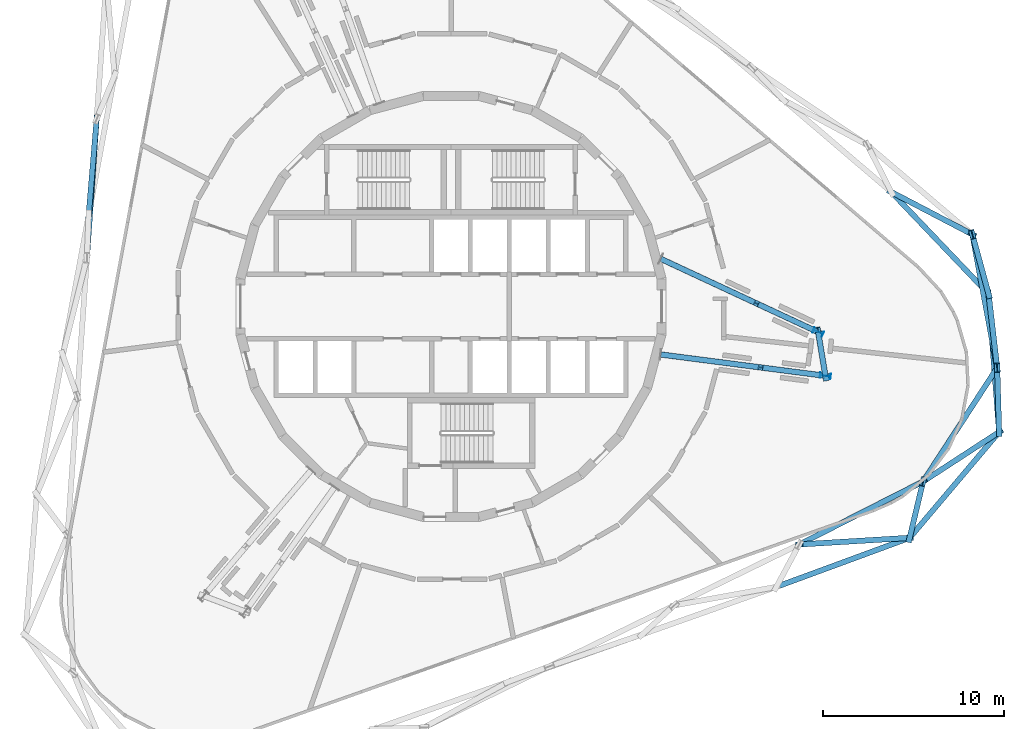
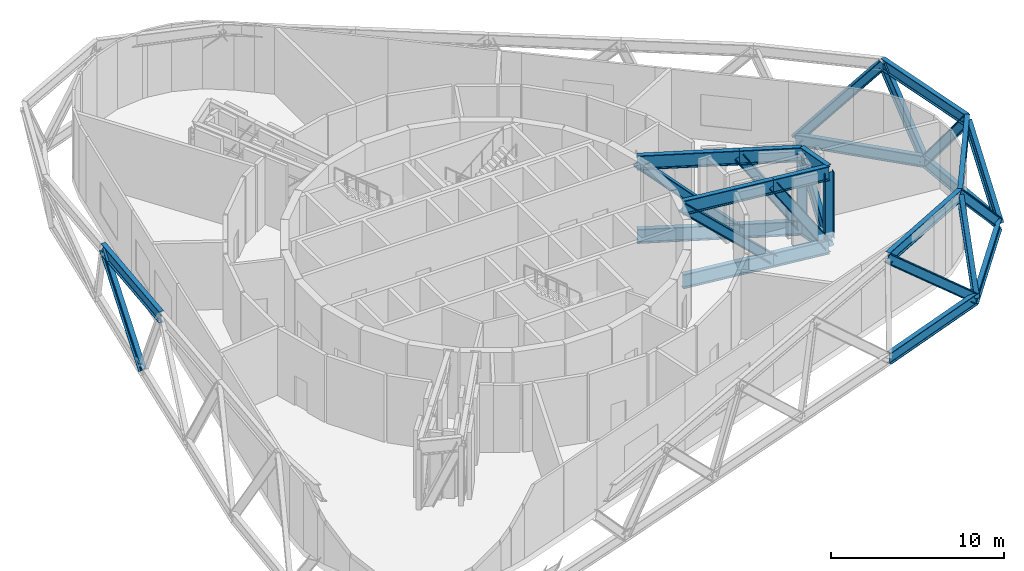
# One storey, part 2 of 12: 33 members.
"""IFC4 building model written with IfcOpenShell, lengths in metres."""

from ifc_helpers import new_model, si_unit, direction, frame, origin, origin_2d, place, context, subcontext, project, spatial, i_section, extrude, material, material_profile, profile_set, type_object, element, save


model = new_model("IFC4")

# Units and contexts
model_context = context("Model", 3, precision=1e-05, world=origin(), true_north=direction((0.0, 1.0)))
body_context = subcontext(model_context, "Body", "Model", "MODEL_VIEW")
ifc_project = project(units=[si_unit("LENGTHUNIT", "METRE"), si_unit("AREAUNIT", "SQUARE_METRE"), si_unit("VOLUMEUNIT", "CUBIC_METRE"), si_unit("PLANEANGLEUNIT", "RADIAN"), si_unit("MASSUNIT", "GRAM", prefix="KILO")], contexts=[model_context])

# Site, building, storey
site_placement = place(None, origin())
site = spatial("IfcSite", under=ifc_project, at=site_placement, CompositionType="ELEMENT")
building_placement = place(site_placement, origin())
building = spatial("IfcBuilding", under=site, at=building_placement, Name="Spindle Arch Residences", CompositionType="ELEMENT")
storey_placement = place(building_placement, frame((0.0, 0.0, 183.199951171875)))
storey = spatial("IfcBuildingStorey", under=building, at=storey_placement, Name="L46", CompositionType="ELEMENT", Elevation=183.199951171875)

# Members
ifc_material_1 = material(Name="Steel S460ML, intumescent coating R 240", Category="steel")
ifc_material_profile_1 = material_profile(ifc_material_1, i_section(OverallWidth=0.302978515625, OverallDepth=0.81396484375, WebThickness=0.02099609375, FlangeThickness=0.0400390625, FilletRadius=0.030029296875, at=origin_2d()), Name="HEM 800")
ifc_profile_set_1 = profile_set([ifc_material_profile_1], Name="Steel S460ML, intumescent coating R 240")
member_type_1 = type_object("IfcMemberType", Name="Belt truss chord HEM 800", PredefinedType="CHORD", material=ifc_profile_set_1)
member_1_placement = place(storey_placement, frame((18.001220703125, -15.513916015625, -0.85693359375), z_axis=(0.93840570845, 0.345535419818, 0.0), x_axis=(-0.345535419818, 0.93840570845, 0.0)))
element("IfcMember", 1, at=member_1_placement, inside=storey, type_object=member_type_1, Name="Belt truss bottom chord L46.2", PredefinedType="CHORD", context=body_context, shape_type="SweptSolid", body=[
    extrude(i_section(OverallWidth=0.302978515625, OverallDepth=0.81396484375, WebThickness=0.02099609375, FlangeThickness=0.0400390625, FilletRadius=0.030029296875, at=origin_2d()), origin(), (0.0, 0.0, 1.0), 7.856201171875),
])
for number, where, z_axis, x_axis, name in (
    (2, (25.37353515625, -12.79931640625, -0.85693359375), (0.645810841588, 0.763497450479, 0.0), (-0.763497450479, 0.645810841588, 0.0), "Belt truss bottom chord L46.3"),
    (3, (30.322509765625, -6.948486328125, -0.85693359375), (-0.076080099738, 0.997101709167, 0.0), (-0.997101709167, -0.076080099738, 0.0), "Belt truss bottom chord L46.4"),
):
    element("IfcMember", number, at=place(storey_placement, frame(where, z_axis=z_axis, x_axis=x_axis)), inside=storey, type_object=member_type_1, Name=name, PredefinedType="CHORD", context=body_context, shape_type="SweptSolid", body=[
        extrude(i_section(OverallWidth=0.302978515625, OverallDepth=0.81396484375, WebThickness=0.02099609375, FlangeThickness=0.0400390625, FilletRadius=0.030029296875, at=origin_2d()), origin(), (0.0, 0.0, 1.0), 7.6630859375),
    ])
member_2_placement = place(storey_placement, frame((29.739501953125, 0.6923828125, -0.85693359375), z_axis=(-0.690455632803, 0.723374743222, 0.0), x_axis=(-0.723374743222, -0.690455632803, 0.0)))
element("IfcMember", 4, at=member_2_placement, inside=storey, type_object=member_type_1, Name="Belt truss bottom chord L46.5", PredefinedType="CHORD", context=body_context, shape_type="SweptSolid", body=[
    extrude(i_section(OverallWidth=0.302978515625, OverallDepth=0.81396484375, WebThickness=0.02099609375, FlangeThickness=0.0400390625, FilletRadius=0.030029296875, at=origin_2d()), origin(), (0.0, 0.0, 1.0), 7.794677734375),
])
member_3_placement = place(storey_placement, frame((19.26318359375, -13.169189453125, 4.343017578125), z_axis=(0.891447966314, 0.453123077491, 0.0), x_axis=(-0.453123077491, 0.891447966314, 0.0)))
element("IfcMember", 5, at=member_3_placement, inside=storey, type_object=member_type_1, Name="Belt truss top chord L46.2", PredefinedType="CHORD", context=body_context, shape_type="SweptSolid", body=[
    extrude(i_section(OverallWidth=0.302978515625, OverallDepth=0.81396484375, WebThickness=0.02099609375, FlangeThickness=0.0400390625, FilletRadius=0.030029296875, at=origin_2d()), origin(), (0.0, 0.0, 1.0), 7.68798828125),
])
member_4_placement = place(storey_placement, frame((26.11669921875, -9.685546875, 4.343017578125), z_axis=(0.546064447196, 0.837743170374, 0.0), x_axis=(-0.837743170374, 0.546064447196, 0.0)))
element("IfcMember", 6, at=member_4_placement, inside=storey, type_object=member_type_1, Name="Belt truss top chord L46.3", PredefinedType="CHORD", context=body_context, shape_type="SweptSolid", body=[
    extrude(i_section(OverallWidth=0.302978515625, OverallDepth=0.81396484375, WebThickness=0.02099609375, FlangeThickness=0.0400390625, FilletRadius=0.030029296875, at=origin_2d()), origin(), (0.0, 0.0, 1.0), 7.5087890625),
])
member_5_placement = place(storey_placement, frame((30.217041015625, -3.39501953125, 4.343017578125), z_axis=(-0.183075266384, 0.983098899826, 0.0), x_axis=(-0.983098899826, -0.183075266384, 0.0)))
element("IfcMember", 7, at=member_5_placement, inside=storey, type_object=member_type_1, Name="Belt truss top chord L46.4", PredefinedType="CHORD", context=body_context, shape_type="SweptSolid", body=[
    extrude(i_section(OverallWidth=0.302978515625, OverallDepth=0.81396484375, WebThickness=0.02099609375, FlangeThickness=0.0400390625, FilletRadius=0.030029296875, at=origin_2d()), origin(), (0.0, 0.0, 1.0), 7.50927734375),
])
member_6_placement = place(storey_placement, frame((-19.605224609375, 10.368896484375, 4.343017578125), z_axis=(-0.069747341856, -0.997564688782, 0.0), x_axis=(0.997564688782, -0.069747341856, 0.0)))
element("IfcMember", 8, at=member_6_placement, inside=storey, type_object=member_type_1, Name="Belt truss top chord L46.14", PredefinedType="CHORD", context=body_context, shape_type="SweptSolid", body=[
    extrude(i_section(OverallWidth=0.302978515625, OverallDepth=0.81396484375, WebThickness=0.02099609375, FlangeThickness=0.0400390625, FilletRadius=0.030029296875, at=origin_2d()), origin(), (0.0, 0.0, 1.0), 7.69384765625),
])
ifc_material_2 = material(Name="Steel S460ML, intumescent coating R 240", Category="steel")
ifc_material_profile_2 = material_profile(ifc_material_2, i_section(OverallWidth=0.304931640625, OverallDepth=0.6201171875, WebThickness=0.02099609375, FlangeThickness=0.0400390625, FilletRadius=0.027099609375, at=origin_2d()), Name="HEM 600")
ifc_profile_set_2 = profile_set([ifc_material_profile_2], Name="Steel S460ML, intumescent coating R 240")
member_type_2 = type_object("IfcMemberType", Name="Belt truss diagonal HEM 600", PredefinedType="BRACE", material=ifc_profile_set_2)
member_7_placement = place(storey_placement, frame((25.37353515625, -12.79931640625, -0.85693359375), z_axis=(-0.760752884449, -0.046050048743, 0.647405932791), x_axis=(0.0604216083, -0.998172945561, 0.0)))
element("IfcMember", 9, at=member_7_placement, inside=storey, type_object=member_type_2, Name="Belt truss diagonal L46.2.3", PredefinedType="BRACE", context=body_context, shape_type="SweptSolid", body=[
    extrude(i_section(OverallWidth=0.304931640625, OverallDepth=0.6201171875, WebThickness=0.02099609375, FlangeThickness=0.0400390625, FilletRadius=0.027099609375, at=origin_2d()), origin(), (0.0, 0.0, 1.0), 8.031982421875),
])
member_8_placement = place(storey_placement, frame((25.37353515625, -12.79931640625, -0.85693359375), z_axis=(0.121703751496, 0.509924325421, 0.851566426778), x_axis=(-0.972680053918, 0.232149763535, 0.0)))
element("IfcMember", 10, at=member_8_placement, inside=storey, type_object=member_type_2, Name="Belt truss diagonal L46.3.3", PredefinedType="BRACE", context=body_context, shape_type="SweptSolid", body=[
    extrude(i_section(OverallWidth=0.304931640625, OverallDepth=0.6201171875, WebThickness=0.02099609375, FlangeThickness=0.0400390625, FilletRadius=0.027099609375, at=origin_2d()), origin(), (0.0, 0.0, 1.0), 6.1064453125),
])
member_9_placement = place(storey_placement, frame((30.322509765625, -6.948486328125, -0.85693359375), z_axis=(-0.582012025617, -0.378762223207, 0.719584032833), x_axis=(0.545448291245, -0.838144475361, 0.0)))
element("IfcMember", 11, at=member_9_placement, inside=storey, type_object=member_type_2, Name="Belt truss diagonal L46.3.4", PredefinedType="BRACE", context=body_context, shape_type="SweptSolid", body=[
    extrude(i_section(OverallWidth=0.304931640625, OverallDepth=0.6201171875, WebThickness=0.02099609375, FlangeThickness=0.0400390625, FilletRadius=0.027099609375, at=origin_2d()), origin(), (0.0, 0.0, 1.0), 7.226318359375),
])
member_10_placement = place(storey_placement, frame((30.322509765625, -6.948486328125, -0.85693359375), z_axis=(-0.016743657187, 0.564129468429, 0.825516561187), x_axis=(-0.999559824105, -0.029667457507, 0.0)))
element("IfcMember", 12, at=member_10_placement, inside=storey, type_object=member_type_2, Name="Belt truss diagonal L46.4.4", PredefinedType="BRACE", context=body_context, shape_type="SweptSolid", body=[
    extrude(i_section(OverallWidth=0.304931640625, OverallDepth=0.6201171875, WebThickness=0.02099609375, FlangeThickness=0.0400390625, FilletRadius=0.027099609375, at=origin_2d()), origin(), (0.0, 0.0, 1.0), 6.299072265625),
])
member_11_placement = place(storey_placement, frame((29.739501953125, 0.6923828125, -0.85693359375), z_axis=(0.072012679788, -0.616378468816, 0.784150340898), x_axis=(0.993244233755, 0.116042630583, 0.0)))
element("IfcMember", 13, at=member_11_placement, inside=storey, type_object=member_type_2, Name="Belt truss diagonal L46.4.5", PredefinedType="BRACE", context=body_context, shape_type="SweptSolid", body=[
    extrude(i_section(OverallWidth=0.304931640625, OverallDepth=0.6201171875, WebThickness=0.02099609375, FlangeThickness=0.0400390625, FilletRadius=0.027099609375, at=origin_2d()), origin(), (0.0, 0.0, 1.0), 6.63134765625),
])
member_12_placement = place(storey_placement, frame((29.739501953125, 0.6923828125, -0.85693359375), z_axis=(-0.144223589446, 0.529643962765, 0.83586890656), x_axis=(-0.964867685587, -0.262736273306, 0.0)))
element("IfcMember", 14, at=member_12_placement, inside=storey, type_object=member_type_2, Name="Belt truss diagonal L46.5.5", PredefinedType="BRACE", context=body_context, shape_type="SweptSolid", body=[
    extrude(i_section(OverallWidth=0.304931640625, OverallDepth=0.6201171875, WebThickness=0.02099609375, FlangeThickness=0.0400390625, FilletRadius=0.027099609375, at=origin_2d()), origin(), (0.0, 0.0, 1.0), 6.220947265625),
])
member_13_placement = place(storey_placement, frame((24.357666015625, 6.330810546875, -0.85693359375), z_axis=(0.618093146084, -0.322993963159, 0.716683865123), x_axis=(0.463141383369, 0.886284412032, 0.0)))
element("IfcMember", 15, at=member_13_placement, inside=storey, type_object=member_type_2, Name="Belt truss diagonal L46.5.6", PredefinedType="BRACE", context=body_context, shape_type="SweptSolid", body=[
    extrude(i_section(OverallWidth=0.304931640625, OverallDepth=0.6201171875, WebThickness=0.02099609375, FlangeThickness=0.0400390625, FilletRadius=0.027099609375, at=origin_2d()), origin(), (0.0, 0.0, 1.0), 7.255615234375),
])
member_14_placement = place(storey_placement, frame((-20.048583984375, 5.048095703125, -0.85693359375), z_axis=(0.059487493116, 0.713915432253, 0.697700504338), x_axis=(-0.996546388916, 0.083037911456, 0.0)))
element("IfcMember", 16, at=member_14_placement, inside=storey, type_object=member_type_2, Name="Belt truss diagonal L46.14.15", PredefinedType="BRACE", context=body_context, shape_type="SweptSolid", body=[
    extrude(i_section(OverallWidth=0.304931640625, OverallDepth=0.6201171875, WebThickness=0.02099609375, FlangeThickness=0.0400390625, FilletRadius=0.027099609375, at=origin_2d()), origin(), (0.0, 0.0, 1.0), 7.452880859375),
])
ifc_material_3 = material(Name="Steel S460ML, intumescent coating R 240", Category="steel")
ifc_material_profile_3 = material_profile(ifc_material_3, i_section(OverallWidth=0.302001953125, OverallDepth=1.008056640625, WebThickness=0.02099609375, FlangeThickness=0.0400390625, FilletRadius=0.030029296875, at=origin_2d()), Name="HEM 1000")
ifc_profile_set_3 = profile_set([ifc_material_profile_3], Name="Steel S460ML, intumescent coating R 240")
member_type_3 = type_object("IfcMemberType", Name="Transfer truss chord HEM 1000", PredefinedType="CHORD", material=ifc_profile_set_3)
for number, where, z_axis, x_axis, name in (
    (17, (11.60498046875, -2.65771484375, -0.953857421875), (0.991693394188, -0.128624305342, 0.0), (0.128624305342, 0.991693394188, 0.0), "Transfer truss chord L46"),
    (18, (11.60498046875, -2.65771484375, 4.24609375), (0.991693394188, -0.128624305342, 0.0), (0.128624305342, 0.991693394188, 0.0), "Transfer truss chord L46"),
):
    element("IfcMember", number, at=place(storey_placement, frame(where, z_axis=z_axis, x_axis=x_axis)), inside=storey, type_object=member_type_3, Name=name, PredefinedType="CHORD", context=body_context, shape_type="SweptSolid", body=[
        extrude(i_section(OverallWidth=0.302001953125, OverallDepth=1.008056640625, WebThickness=0.02099609375, FlangeThickness=0.0400390625, FilletRadius=0.030029296875, at=origin_2d()), origin(), (0.0, 0.0, 1.0), 5.6943359375),
    ])
for number, where, z_axis, x_axis, name in (
    (19, (17.251953125, -3.39013671875, -0.953857421875), (0.99169143827, -0.128639384565, 0.0), (0.128639384565, 0.99169143827, 0.0), "Transfer truss chord L46"),
    (20, (17.251953125, -3.39013671875, 4.24609375), (0.99169143827, -0.128639384565, 0.0), (0.128639384565, 0.99169143827, 0.0), "Transfer truss chord L46"),
):
    element("IfcMember", number, at=place(storey_placement, frame(where, z_axis=z_axis, x_axis=x_axis)), inside=storey, type_object=member_type_3, Name=name, PredefinedType="CHORD", context=body_context, shape_type="SweptSolid", body=[
        extrude(i_section(OverallWidth=0.302001953125, OverallDepth=1.008056640625, WebThickness=0.02099609375, FlangeThickness=0.0400390625, FilletRadius=0.030029296875, at=origin_2d()), origin(), (0.0, 0.0, 1.0), 3.490234375),
    ])
for number, where, z_axis, x_axis, name in (
    (21, (20.713134765625, -3.839111328125, -0.953857421875), (-0.163607688007, 0.98652548088, 0.0), (-0.98652548088, -0.163607688007, 0.0), "Transfer truss chord L46"),
    (22, (20.713134765625, -3.839111328125, 4.24609375), (-0.163607688007, 0.98652548088, 0.0), (-0.98652548088, -0.163607688007, 0.0), "Transfer truss chord L46"),
):
    element("IfcMember", number, at=place(storey_placement, frame(where, z_axis=z_axis, x_axis=x_axis)), inside=storey, type_object=member_type_3, Name=name, PredefinedType="CHORD", context=body_context, shape_type="SweptSolid", body=[
        extrude(i_section(OverallWidth=0.302001953125, OverallDepth=1.008056640625, WebThickness=0.02099609375, FlangeThickness=0.0400390625, FilletRadius=0.030029296875, at=origin_2d()), origin(), (0.0, 0.0, 1.0), 2.45166015625),
    ])
for number, where, z_axis, x_axis, name in (
    (23, (11.6123046875, 2.630615234375, -0.953857421875), (0.906529813706, -0.422141797104, 0.0), (0.422141797104, 0.906529813706, 0.0), "Transfer truss chord L46"),
    (24, (11.6123046875, 2.630615234375, 4.24609375), (0.906529813706, -0.422141797104, 0.0), (0.422141797104, 0.906529813706, 0.0), "Transfer truss chord L46"),
):
    element("IfcMember", number, at=place(storey_placement, frame(where, z_axis=z_axis, x_axis=x_axis)), inside=storey, type_object=member_type_3, Name=name, PredefinedType="CHORD", context=body_context, shape_type="SweptSolid", body=[
        extrude(i_section(OverallWidth=0.302001953125, OverallDepth=1.008056640625, WebThickness=0.02099609375, FlangeThickness=0.0400390625, FilletRadius=0.030029296875, at=origin_2d()), origin(), (0.0, 0.0, 1.0), 5.949951171875),
    ])
for number, where, z_axis, x_axis, name in (
    (25, (17.006103515625, 0.118896484375, -0.953857421875), (0.906545402178, -0.422108319972, 0.0), (0.422108319972, 0.906545402178, 0.0), "Transfer truss chord L46"),
    (26, (17.006103515625, 0.118896484375, 4.24609375), (0.906545402178, -0.422108319972, 0.0), (0.422108319972, 0.906545402178, 0.0), "Transfer truss chord L46"),
):
    element("IfcMember", number, at=place(storey_placement, frame(where, z_axis=z_axis, x_axis=x_axis)), inside=storey, type_object=member_type_3, Name=name, PredefinedType="CHORD", context=body_context, shape_type="SweptSolid", body=[
        extrude(i_section(OverallWidth=0.302001953125, OverallDepth=1.008056640625, WebThickness=0.02099609375, FlangeThickness=0.0400390625, FilletRadius=0.030029296875, at=origin_2d()), origin(), (0.0, 0.0, 1.0), 3.646728515625),
    ])
ifc_material_4 = material(Name="Steel S460ML, intumescent coating R 240", Category="steel")
ifc_material_profile_4 = material_profile(ifc_material_4, i_section(OverallWidth=0.304931640625, OverallDepth=0.6201171875, WebThickness=0.02099609375, FlangeThickness=0.0400390625, FilletRadius=0.027099609375, at=origin_2d()), Name="HEM 600")
ifc_profile_set_4 = profile_set([ifc_material_profile_4], Name="Steel S460ML, intumescent coating R 240")
member_type_4 = type_object("IfcMemberType", Name="Transfer truss diagonal HEM 600", PredefinedType="BRACE", material=ifc_profile_set_4)
member_15_placement = place(storey_placement, frame((17.251953125, -3.39013671875, -0.953857421875), z_axis=(-0.732297868043, 0.094980268229, 0.674328244334), x_axis=(-0.128624305342, -0.991693394188, 0.0)))
element("IfcMember", 27, at=member_15_placement, inside=storey, type_object=member_type_4, Name="Transfer truss diagonal L46", PredefinedType="BRACE", context=body_context, shape_type="SweptSolid", body=[
    extrude(i_section(OverallWidth=0.304931640625, OverallDepth=0.6201171875, WebThickness=0.02099609375, FlangeThickness=0.0400390625, FilletRadius=0.027099609375, at=origin_2d()), origin(), (0.0, 0.0, 1.0), 7.71142578125),
])
member_16_placement = place(storey_placement, frame((20.713134765625, -3.839111328125, -0.953857421875), z_axis=(-0.552670008571, 0.071690777016, 0.830310962301), x_axis=(-0.128639384565, -0.99169143827, 0.0)))
element("IfcMember", 28, at=member_16_placement, inside=storey, type_object=member_type_4, Name="Transfer truss diagonal L46", PredefinedType="BRACE", context=body_context, shape_type="SweptSolid", body=[
    extrude(i_section(OverallWidth=0.304931640625, OverallDepth=0.6201171875, WebThickness=0.02099609375, FlangeThickness=0.0400390625, FilletRadius=0.027099609375, at=origin_2d()), origin(), (0.0, 0.0, 1.0), 6.2626953125),
])
member_17_placement = place(storey_placement, frame((20.713134765625, -3.839111328125, -0.953857421875), z_axis=(-0.069773185444, 0.420719992816, 0.904503394266), x_axis=(-0.98652548088, -0.163607688007, 0.0)))
element("IfcMember", 29, at=member_17_placement, inside=storey, type_object=member_type_4, Name="Transfer truss diagonal L46", PredefinedType="BRACE", context=body_context, shape_type="SweptSolid", body=[
    extrude(i_section(OverallWidth=0.304931640625, OverallDepth=0.6201171875, WebThickness=0.02099609375, FlangeThickness=0.0400390625, FilletRadius=0.027099609375, at=origin_2d()), origin(), (0.0, 0.0, 1.0), 5.7490234375),
])
member_18_placement = place(storey_placement, frame((17.006103515625, 0.118896484375, -0.953857421875), z_axis=(-0.682588259979, 0.317859413328, 0.658056730607), x_axis=(-0.422141797104, -0.906529813706, 0.0)))
element("IfcMember", 30, at=member_18_placement, inside=storey, type_object=member_type_4, Name="Transfer truss diagonal L46", PredefinedType="BRACE", context=body_context, shape_type="SweptSolid", body=[
    extrude(i_section(OverallWidth=0.304931640625, OverallDepth=0.6201171875, WebThickness=0.02099609375, FlangeThickness=0.0400390625, FilletRadius=0.027099609375, at=origin_2d()), origin(), (0.0, 0.0, 1.0), 7.902099609375),
])
member_19_placement = place(storey_placement, frame((20.31201171875, -1.42041015625, -0.953857421875), z_axis=(-0.520515520627, 0.242363958168, 0.818732743065), x_axis=(-0.422108319972, -0.906545402178, 0.0)))
element("IfcMember", 31, at=member_19_placement, inside=storey, type_object=member_type_4, Name="Transfer truss diagonal L46", PredefinedType="BRACE", context=body_context, shape_type="SweptSolid", body=[
    extrude(i_section(OverallWidth=0.304931640625, OverallDepth=0.6201171875, WebThickness=0.02099609375, FlangeThickness=0.0400390625, FilletRadius=0.027099609375, at=origin_2d()), origin(), (0.0, 0.0, 1.0), 6.351318359375),
])
ifc_material_5 = material(Name="Steel S460ML, intumescent coating R 240", Category="steel")
ifc_material_profile_5 = material_profile(ifc_material_5, i_section(OverallWidth=0.300048828125, OverallDepth=0.60009765625, WebThickness=0.015380859375, FlangeThickness=0.030029296875, FilletRadius=0.027099609375, at=origin_2d()), Name="HEB 600")
ifc_profile_set_5 = profile_set([ifc_material_profile_5], Name="Steel S460ML, intumescent coating R 240")
member_type_5 = type_object("IfcMemberType", Name="Transfer truss post HEB 600", PredefinedType="POST", material=ifc_profile_set_5)
member_20_placement = place(storey_placement, frame((20.713134765625, -3.839111328125, -0.449951171875), z_axis=(0.0, 0.0, 1.0), x_axis=(-0.128606427733, -0.99169571278, 0.0)))
element("IfcMember", 32, at=member_20_placement, inside=storey, type_object=member_type_5, Name="Transfer truss post L46", PredefinedType="POST", context=body_context, shape_type="SweptSolid", body=[
    extrude(i_section(OverallWidth=0.300048828125, OverallDepth=0.60009765625, WebThickness=0.015380859375, FlangeThickness=0.030029296875, FilletRadius=0.027099609375, at=origin_2d()), origin(), (0.0, 0.0, 1.0), 4.696044921875),
])
member_21_placement = place(storey_placement, frame((20.31201171875, -1.42041015625, -0.953857421875), z_axis=(0.0, 0.0, 1.0), x_axis=(-0.422113134271, -0.906543160515, 0.0)))
element("IfcMember", 33, at=member_21_placement, inside=storey, type_object=member_type_5, Name="Transfer truss post L46", PredefinedType="POST", context=body_context, shape_type="SweptSolid", body=[
    extrude(i_section(OverallWidth=0.300048828125, OverallDepth=0.60009765625, WebThickness=0.015380859375, FlangeThickness=0.030029296875, FilletRadius=0.027099609375, at=origin_2d()), origin(), (0.0, 0.0, 1.0), 5.199951171875),
])

save(model, "model.ifc")
